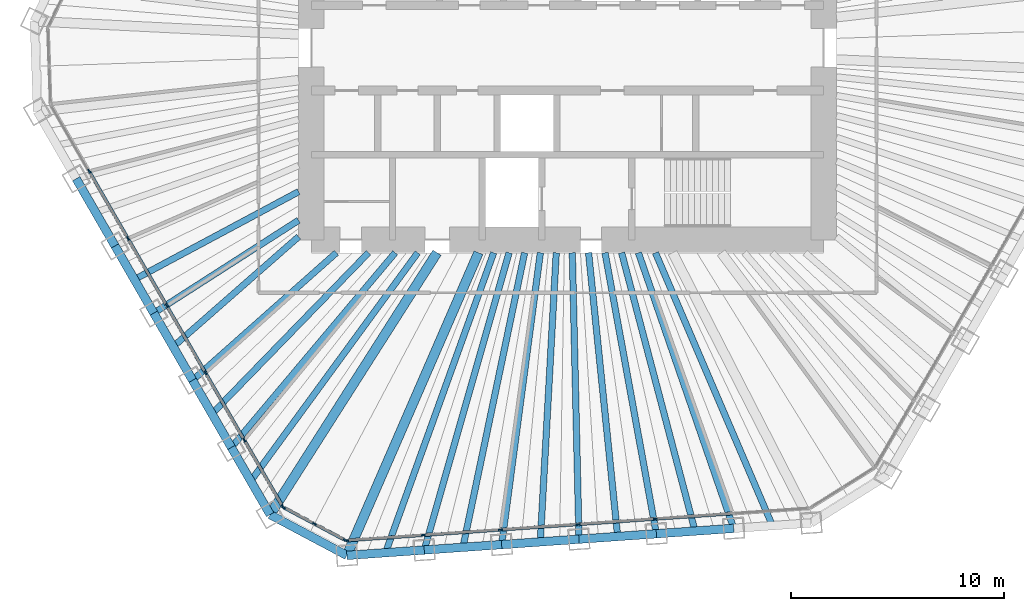
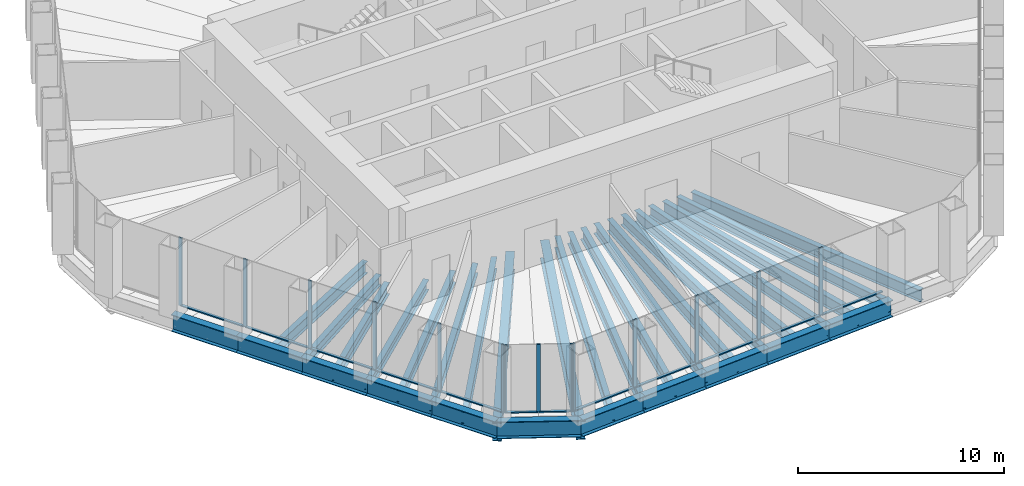
# One storey, part 2 of 14: 31 beams, 26 members, 3 elements without a shape of their own.
"""IFC4 building model written with IfcOpenShell, lengths in metres."""

from ifc_helpers import new_model, si_unit, direction, frame, origin, origin_2d, place, context, subcontext, project, spatial, rectangle, i_section, extrude, material, material_profile, profile_set, type_object, element, aggregate, save


model = new_model("IFC4")

# Units and contexts
model_context = context("Model", 3, precision=1e-05, world=origin(), true_north=direction((0.0, 1.0)))
body_context = subcontext(model_context, "Body", "Model", "MODEL_VIEW")
ifc_project = project(units=[si_unit("LENGTHUNIT", "METRE"), si_unit("AREAUNIT", "SQUARE_METRE"), si_unit("VOLUMEUNIT", "CUBIC_METRE"), si_unit("PLANEANGLEUNIT", "RADIAN"), si_unit("MASSUNIT", "GRAM", prefix="KILO")], contexts=[model_context])

# Site, building, storey
site_placement = place(None, origin())
site = spatial("IfcSite", under=ifc_project, at=site_placement, CompositionType="ELEMENT")
building_placement = place(site_placement, origin())
building = spatial("IfcBuilding", under=site, at=building_placement, Name="Qingtian Harvest Tower", CompositionType="ELEMENT")
storey_placement = place(building_placement, frame((0.0, 0.0, 235.0)))
storey = spatial("IfcBuildingStorey", under=building, at=storey_placement, Name="L51", CompositionType="ELEMENT", Elevation=235.0)

# Beams
ifc_material_1 = material(Name="Steel SM570MC", Category="steel")
ifc_material_profile_1 = material_profile(ifc_material_1, i_section(OverallWidth=0.449951171875, OverallDepth=1.10009765625, WebThickness=0.02197265625, FlangeThickness=0.044921875, at=origin_2d()), Name="H1100x450x22x45")
ifc_profile_set_1 = profile_set([ifc_material_profile_1], Name="Steel SM570MC")
beam_type_1 = type_object("IfcBeamType", Name="Corner floor beam FB8 H1100x450x22x45", PredefinedType="BEAM", material=ifc_profile_set_1)
beam_1_placement = place(storey_placement, frame((-10.33837890625, -23.779052734375, -0.719970703125), z_axis=(0.398714563353, 0.917075077063, 0.0), x_axis=(-0.917075077063, 0.398714563353, 0.0)))
element("IfcBeam", 1, at=beam_1_placement, inside=storey, type_object=beam_type_1, Name="Floor beam FB8 S6", PredefinedType="BEAM", context=body_context, shape_type="SweptSolid", body=[
    extrude(i_section(OverallWidth=0.449951171875, OverallDepth=1.10009765625, WebThickness=0.02197265625, FlangeThickness=0.044921875, at=origin_2d()), origin(), (0.0, 0.0, 1.0), 15.461181640625),
])
beam_2_placement = place(storey_placement, frame((-13.9326171875, -21.8681640625, -0.719970703125), z_axis=(0.537326103898, 0.8433745657, 0.0), x_axis=(-0.8433745657, 0.537326103898, 0.0)))
element("IfcBeam", 2, at=beam_2_placement, inside=storey, type_object=beam_type_1, Name="Floor beam FB8 SW0", PredefinedType="BEAM", context=body_context, shape_type="SweptSolid", body=[
    extrude(i_section(OverallWidth=0.449951171875, OverallDepth=1.10009765625, WebThickness=0.02197265625, FlangeThickness=0.044921875, at=origin_2d()), origin(), (0.0, 0.0, 1.0), 14.54638671875),
])
ifc_material_2 = material(Name="Steel SN490B", Category="steel")
ifc_material_profile_2 = material_profile(ifc_material_2, i_section(OverallWidth=0.300048828125, OverallDepth=0.699951171875, WebThickness=0.012939453125, FlangeThickness=0.02392578125, at=origin_2d()), Name="H700x300x13x24")
ifc_profile_set_2 = profile_set([ifc_material_profile_2], Name="Steel SN490B")
beam_type_2 = type_object("IfcBeamType", Name="Floor beam FB2 H700x300x13x24", PredefinedType="BEAM", material=ifc_profile_set_2)
beam_3_placement = place(storey_placement, frame((-6.713623046875, -23.525634765625, -0.52001953125), z_axis=(0.274411610503, 0.961612327303, 0.0), x_axis=(-0.961612327303, 0.274411610503, 0.0)))
element("IfcBeam", 3, at=beam_3_placement, inside=storey, type_object=beam_type_2, Name="Floor beam FB2 S5", PredefinedType="BEAM", context=body_context, shape_type="SweptSolid", body=[
    extrude(i_section(OverallWidth=0.300048828125, OverallDepth=0.699951171875, WebThickness=0.012939453125, FlangeThickness=0.02392578125, at=origin_2d()), origin(), (0.0, 0.0, 1.0), 14.4814453125),
])
ifc_material_3 = material(Name="Steel SN490B", Category="steel")
ifc_material_profile_3 = material_profile(ifc_material_3, i_section(OverallWidth=0.300048828125, OverallDepth=0.60009765625, WebThickness=0.011962890625, FlangeThickness=0.02001953125, at=origin_2d()), Name="H600x300x12x20")
ifc_profile_set_3 = profile_set([ifc_material_profile_3], Name="Steel SN490B")
beam_type_3 = type_object("IfcBeamType", Name="Floor beam FB3 H600x300x12x20", PredefinedType="BEAM", material=ifc_profile_set_3)
beam_4_placement = place(storey_placement, frame((7.78515625, -22.51171875, -0.469970703125), z_axis=(-0.326844175409, 0.945078242793, 0.0), x_axis=(-0.945078242793, -0.326844175409, 0.0)))
element("IfcBeam", 4, at=beam_4_placement, inside=storey, type_object=beam_type_3, Name="Floor beam FB3 S1", PredefinedType="BEAM", context=body_context, shape_type="SweptSolid", body=[
    extrude(i_section(OverallWidth=0.300048828125, OverallDepth=0.60009765625, WebThickness=0.011962890625, FlangeThickness=0.02001953125, at=origin_2d()), origin(), (0.0, 0.0, 1.0), 13.661865234375),
])
beam_5_placement = place(storey_placement, frame((4.160400390625, -22.76513671875, -0.469970703125), z_axis=(-0.179779537209, 0.983706926885, 0.0), x_axis=(-0.983706926885, -0.179779537209, 0.0)))
element("IfcBeam", 5, at=beam_5_placement, inside=storey, type_object=beam_type_3, Name="Floor beam FB3 S2", PredefinedType="BEAM", context=body_context, shape_type="SweptSolid", body=[
    extrude(i_section(OverallWidth=0.300048828125, OverallDepth=0.60009765625, WebThickness=0.011962890625, FlangeThickness=0.02001953125, at=origin_2d()), origin(), (0.0, 0.0, 1.0), 13.383056640625),
])
beam_6_placement = place(storey_placement, frame((0.53564453125, -23.018798828125, -0.469970703125), z_axis=(-0.023263902078, 0.999729358807, 0.0), x_axis=(-0.999729358807, -0.023263902078, 0.0)))
element("IfcBeam", 6, at=beam_6_placement, inside=storey, type_object=beam_type_3, Name="Floor beam FB3 S3", PredefinedType="BEAM", context=body_context, shape_type="SweptSolid", body=[
    extrude(i_section(OverallWidth=0.300048828125, OverallDepth=0.60009765625, WebThickness=0.011962890625, FlangeThickness=0.02001953125, at=origin_2d()), origin(), (0.0, 0.0, 1.0), 13.42236328125),
])
beam_7_placement = place(storey_placement, frame((-3.089111328125, -23.272216796875, -0.469970703125), z_axis=(0.131593229442, 0.991303799027, 0.0), x_axis=(-0.991303799027, 0.131593229442, 0.0)))
element("IfcBeam", 7, at=beam_7_placement, inside=storey, type_object=beam_type_3, Name="Floor beam FB3 S4", PredefinedType="BEAM", context=body_context, shape_type="SweptSolid", body=[
    extrude(i_section(OverallWidth=0.300048828125, OverallDepth=0.60009765625, WebThickness=0.011962890625, FlangeThickness=0.02001953125, at=origin_2d()), origin(), (0.0, 0.0, 1.0), 13.7919921875),
])
beam_8_placement = place(storey_placement, frame((-15.749267578125, -18.72119140625, -0.469970703125), z_axis=(0.643763532906, 0.765224485821, 0.0), x_axis=(-0.765224485821, 0.643763532906, 0.0)))
element("IfcBeam", 8, at=beam_8_placement, inside=storey, type_object=beam_type_3, Name="Floor beam FB3 SW1", PredefinedType="BEAM", context=body_context, shape_type="SweptSolid", body=[
    extrude(i_section(OverallWidth=0.300048828125, OverallDepth=0.60009765625, WebThickness=0.011962890625, FlangeThickness=0.02001953125, at=origin_2d()), origin(), (0.0, 0.0, 1.0), 11.91943359375),
])
beam_9_placement = place(storey_placement, frame((-17.566162109375, -15.574462890625, -0.469970703125), z_axis=(0.748259768664, 0.663405847577, 0.0), x_axis=(-0.663405847577, 0.748259768664, 0.0)))
element("IfcBeam", 9, at=beam_9_placement, inside=storey, type_object=beam_type_3, Name="Floor beam FB3 SW2", PredefinedType="BEAM", context=body_context, shape_type="SweptSolid", body=[
    extrude(i_section(OverallWidth=0.300048828125, OverallDepth=0.60009765625, WebThickness=0.011962890625, FlangeThickness=0.02001953125, at=origin_2d()), origin(), (0.0, 0.0, 1.0), 9.005615234375),
])
beam_10_placement = place(storey_placement, frame((-19.3828125, -12.427734375, -0.469970703125), z_axis=(0.841823714388, 0.539752567288, 0.0), x_axis=(-0.539752567288, 0.841823714388, 0.0)))
element("IfcBeam", 10, at=beam_10_placement, inside=storey, type_object=beam_type_3, Name="Floor beam FB3 SW3", PredefinedType="BEAM", context=body_context, shape_type="SweptSolid", body=[
    extrude(i_section(OverallWidth=0.300048828125, OverallDepth=0.60009765625, WebThickness=0.011962890625, FlangeThickness=0.02001953125, at=origin_2d()), origin(), (0.0, 0.0, 1.0), 8.05712890625),
])
ifc_material_4 = material(Name="Steel SN490B", Category="steel")
ifc_material_profile_4 = material_profile(ifc_material_4, i_section(OverallWidth=0.300048828125, OverallDepth=0.699951171875, WebThickness=0.012939453125, FlangeThickness=0.02392578125, at=origin_2d()), Name="H700x300x13x24")
ifc_profile_set_4 = profile_set([ifc_material_profile_4], Name="Steel SN490B")
beam_type_4 = type_object("IfcBeamType", Name="Floor joist J2 H700x300x13x24", PredefinedType="JOIST", material=ifc_profile_set_4)
beam_11_placement = place(storey_placement, frame((9.597412109375, -22.385009765625, -0.52001953125), z_axis=(-0.394052741766, 0.919087828614, 0.0), x_axis=(-0.919087828614, -0.394052741766, 0.0)))
element("IfcBeam", 11, at=beam_11_placement, inside=storey, type_object=beam_type_4, Name="Floor joist J2 S0", PredefinedType="JOIST", context=body_context, shape_type="SweptSolid", body=[
    extrude(i_section(OverallWidth=0.300048828125, OverallDepth=0.699951171875, WebThickness=0.012939453125, FlangeThickness=0.02392578125, at=origin_2d()), origin(), (0.0, 0.0, 1.0), 13.910400390625),
])
beam_12_placement = place(storey_placement, frame((5.97265625, -22.638427734375, -0.52001953125), z_axis=(-0.255103716232, 0.9669136952, 0.0), x_axis=(-0.9669136952, -0.255103716232, 0.0)))
element("IfcBeam", 12, at=beam_12_placement, inside=storey, type_object=beam_type_4, Name="Floor joist J2 S1", PredefinedType="JOIST", context=body_context, shape_type="SweptSolid", body=[
    extrude(i_section(OverallWidth=0.300048828125, OverallDepth=0.699951171875, WebThickness=0.012939453125, FlangeThickness=0.02392578125, at=origin_2d()), origin(), (0.0, 0.0, 1.0), 13.484375),
])
beam_13_placement = place(storey_placement, frame((2.347900390625, -22.89208984375, -0.52001953125), z_axis=(-0.102028865499, 0.994781438611, 0.0), x_axis=(-0.994781438611, -0.102028865499, 0.0)))
element("IfcBeam", 13, at=beam_13_placement, inside=storey, type_object=beam_type_4, Name="Floor joist J2 S2", PredefinedType="JOIST", context=body_context, shape_type="SweptSolid", body=[
    extrude(i_section(OverallWidth=0.300048828125, OverallDepth=0.699951171875, WebThickness=0.012939453125, FlangeThickness=0.02392578125, at=origin_2d()), origin(), (0.0, 0.0, 1.0), 13.36181640625),
])
beam_14_placement = place(storey_placement, frame((-1.276611328125, -23.1455078125, -0.52001953125), z_axis=(0.055069329716, 0.998482533109, 0.0), x_axis=(-0.998482533109, 0.055069329716, 0.0)))
element("IfcBeam", 14, at=beam_14_placement, inside=storey, type_object=beam_type_4, Name="Floor joist J2 S3", PredefinedType="JOIST", context=body_context, shape_type="SweptSolid", body=[
    extrude(i_section(OverallWidth=0.300048828125, OverallDepth=0.699951171875, WebThickness=0.012939453125, FlangeThickness=0.02392578125, at=origin_2d()), origin(), (0.0, 0.0, 1.0), 13.56591796875),
])
beam_15_placement = place(storey_placement, frame((-4.9013671875, -23.39892578125, -0.52001953125), z_axis=(0.205016322093, 0.978758554331, 0.0), x_axis=(-0.978758554331, 0.205016322093, 0.0)))
element("IfcBeam", 15, at=beam_15_placement, inside=storey, type_object=beam_type_4, Name="Floor joist J2 S4", PredefinedType="JOIST", context=body_context, shape_type="SweptSolid", body=[
    extrude(i_section(OverallWidth=0.300048828125, OverallDepth=0.699951171875, WebThickness=0.012939453125, FlangeThickness=0.02392578125, at=origin_2d()), origin(), (0.0, 0.0, 1.0), 14.098388671875),
])
beam_16_placement = place(storey_placement, frame((-8.526123046875, -23.65234375, -0.52001953125), z_axis=(0.339126305921, 0.940740850943, 0.0), x_axis=(-0.940740850943, 0.339126305921, 0.0)))
element("IfcBeam", 16, at=beam_16_placement, inside=storey, type_object=beam_type_4, Name="Floor joist J2 S5", PredefinedType="JOIST", context=body_context, shape_type="SweptSolid", body=[
    extrude(i_section(OverallWidth=0.300048828125, OverallDepth=0.699951171875, WebThickness=0.012939453125, FlangeThickness=0.02392578125, at=origin_2d()), origin(), (0.0, 0.0, 1.0), 14.9375),
])
beam_17_placement = place(storey_placement, frame((-14.841064453125, -20.294677734375, -0.52001953125), z_axis=(0.590288677526, 0.807192218238, 0.0), x_axis=(-0.807192218238, 0.590288677526, 0.0)))
element("IfcBeam", 17, at=beam_17_placement, inside=storey, type_object=beam_type_4, Name="Floor joist J2 SW0", PredefinedType="JOIST", context=body_context, shape_type="SweptSolid", body=[
    extrude(i_section(OverallWidth=0.300048828125, OverallDepth=0.699951171875, WebThickness=0.012939453125, FlangeThickness=0.02392578125, at=origin_2d()), origin(), (0.0, 0.0, 1.0), 13.2490234375),
])
beam_18_placement = place(storey_placement, frame((-16.65771484375, -17.14794921875, -0.52001953125), z_axis=(0.696777499009, 0.717287332158, 0.0), x_axis=(-0.717287332158, 0.696777499009, 0.0)))
element("IfcBeam", 18, at=beam_18_placement, inside=storey, type_object=beam_type_4, Name="Floor joist J2 SW1", PredefinedType="JOIST", context=body_context, shape_type="SweptSolid", body=[
    extrude(i_section(OverallWidth=0.300048828125, OverallDepth=0.699951171875, WebThickness=0.012939453125, FlangeThickness=0.02392578125, at=origin_2d()), origin(), (0.0, 0.0, 1.0), 10.522705078125),
])
beam_19_placement = place(storey_placement, frame((-18.474609375, -14.001220703125, -0.52001953125), z_axis=(0.751883296969, 0.659296221542, 0.0), x_axis=(-0.659296221542, 0.751883296969, 0.0)))
element("IfcBeam", 19, at=beam_19_placement, inside=storey, type_object=beam_type_4, Name="Floor joist J2 SW2", PredefinedType="JOIST", context=body_context, shape_type="SweptSolid", body=[
    extrude(i_section(OverallWidth=0.300048828125, OverallDepth=0.699951171875, WebThickness=0.012939453125, FlangeThickness=0.02392578125, at=origin_2d()), origin(), (0.0, 0.0, 1.0), 7.81298828125),
])
beam_20_placement = place(storey_placement, frame((-20.291259765625, -10.8544921875, -0.52001953125), z_axis=(0.881766503154, 0.471686160402, 0.0), x_axis=(-0.471686160402, 0.881766503154, 0.0)))
element("IfcBeam", 20, at=beam_20_placement, inside=storey, type_object=beam_type_4, Name="Floor joist J2 SW3", PredefinedType="JOIST", context=body_context, shape_type="SweptSolid", body=[
    extrude(i_section(OverallWidth=0.300048828125, OverallDepth=0.699951171875, WebThickness=0.012939453125, FlangeThickness=0.02392578125, at=origin_2d()), origin(), (0.0, 0.0, 1.0), 8.722412109375),
])

# Curtain wall, members
ifc_material_5 = material(Name="Bronze-anodised aluminium curtain wall", Category="aluminium")
curtain_wall_type = type_object("IfcCurtainWallType", Name="Curtain wall CW4 office", PredefinedType="USERDEFINED", material=ifc_material_5)
curtain_wall_1_placement = place(storey_placement, origin())
curtain_wall_1 = element("IfcCurtainWall", 21, at=curtain_wall_1_placement, inside=storey, type_object=curtain_wall_type, Name="Curtain wall CW4 L51 S0-5", ObjectType="RECESSED CURTAIN WALL", PredefinedType="USERDEFINED")
ifc_material_6 = material(Name="Bronze-anodised aluminium mullion", Category="aluminium")
ifc_material_profile_5 = material_profile(ifc_material_6, rectangle(XDim=0.06494140625, YDim=0.199951171875, at=origin_2d()), Name="AL 65x200")
ifc_profile_set_5 = profile_set([ifc_material_profile_5], Name="Bronze-anodised aluminium mullion")
member_type_1 = type_object("IfcMemberType", Name="Mullion CWM 65x200", PredefinedType="MULLION", material=ifc_profile_set_5)
member_1_placement = place(storey_placement, frame((4.111572265625, -22.06689453125, 0.0), z_axis=(0.0, 0.0, 1.0), x_axis=(0.069756473744, -0.99756405026, 0.0)))
member_1 = element("IfcMember", 22, at=member_1_placement, type_object=member_type_1, Name="CW4 mullion 3", PredefinedType="MULLION", context=body_context, shape_type="SweptSolid", body=[
    extrude(rectangle(XDim=0.06494140625, YDim=0.199951171875, at=origin_2d()), origin(), (0.0, 0.0, 1.0), 4.030029296875),
])
member_2_placement = place(storey_placement, frame((0.48681640625, -22.3203125, 0.0), z_axis=(0.0, 0.0, 1.0), x_axis=(0.069756473744, -0.99756405026, 0.0)))
member_2 = element("IfcMember", 23, at=member_2_placement, type_object=member_type_1, Name="CW4 mullion 4", PredefinedType="MULLION", context=body_context, shape_type="SweptSolid", body=[
    extrude(rectangle(XDim=0.06494140625, YDim=0.199951171875, at=origin_2d()), origin(), (0.0, 0.0, 1.0), 4.030029296875),
])
member_3_placement = place(storey_placement, frame((-3.137939453125, -22.573974609375, 0.0), z_axis=(0.0, 0.0, 1.0), x_axis=(0.069756473744, -0.99756405026, 0.0)))
member_3 = element("IfcMember", 24, at=member_3_placement, type_object=member_type_1, Name="CW4 mullion 5", PredefinedType="MULLION", context=body_context, shape_type="SweptSolid", body=[
    extrude(rectangle(XDim=0.06494140625, YDim=0.199951171875, at=origin_2d()), origin(), (0.0, 0.0, 1.0), 4.030029296875),
])
member_4_placement = place(storey_placement, frame((-6.762451171875, -22.827392578125, 0.0), z_axis=(0.0, 0.0, 1.0), x_axis=(0.069756473744, -0.99756405026, 0.0)))
member_4 = element("IfcMember", 25, at=member_4_placement, type_object=member_type_1, Name="CW4 mullion 6", PredefinedType="MULLION", context=body_context, shape_type="SweptSolid", body=[
    extrude(rectangle(XDim=0.06494140625, YDim=0.199951171875, at=origin_2d()), origin(), (0.0, 0.0, 1.0), 4.030029296875),
])
member_5_placement = place(storey_placement, frame((-10.354736328125, -23.07861328125, 0.0), z_axis=(0.0, 0.0, 1.0), x_axis=(0.069756473744, -0.99756405026, 0.0)))
member_5 = element("IfcMember", 26, at=member_5_placement, type_object=member_type_1, Name="CW4 mullion 7", PredefinedType="MULLION", context=body_context, shape_type="SweptSolid", body=[
    extrude(rectangle(XDim=0.06494140625, YDim=0.199951171875, at=origin_2d()), origin(), (0.0, 0.0, 1.0), 4.030029296875),
])

curtain_wall_2_placement = place(storey_placement, origin())
curtain_wall_2 = element("IfcCurtainWall", 27, at=curtain_wall_2_placement, inside=storey, type_object=curtain_wall_type, Name="Curtain wall CW4 L51 SC", ObjectType="RECESSED CURTAIN WALL", PredefinedType="USERDEFINED")
member_6_placement = place(storey_placement, frame((-10.416015625, -23.0654296875, 0.0), z_axis=(0.0, 0.0, 1.0), x_axis=(-0.469471562786, -0.882947592859, 0.0)))
member_6 = element("IfcMember", 28, at=member_6_placement, type_object=member_type_1, Name="CW4 mullion 1", PredefinedType="MULLION", context=body_context, shape_type="SweptSolid", body=[
    extrude(rectangle(XDim=0.06494140625, YDim=0.199951171875, at=origin_2d()), origin(), (0.0, 0.0, 1.0), 4.030029296875),
])
member_7_placement = place(storey_placement, frame((-11.85693359375, -22.29931640625, 0.0), z_axis=(0.0, 0.0, 1.0), x_axis=(-0.469471562786, -0.882947592859, 0.0)))
member_7 = element("IfcMember", 29, at=member_7_placement, type_object=member_type_1, Name="CW4 mullion 2", PredefinedType="MULLION", context=body_context, shape_type="SweptSolid", body=[
    extrude(rectangle(XDim=0.06494140625, YDim=0.199951171875, at=origin_2d()), origin(), (0.0, 0.0, 1.0), 4.030029296875),
])
member_8_placement = place(storey_placement, frame((-13.297607421875, -21.533203125, 0.0), z_axis=(0.0, 0.0, 1.0), x_axis=(-0.469471562786, -0.882947592859, 0.0)))
member_8 = element("IfcMember", 30, at=member_8_placement, type_object=member_type_1, Name="CW4 mullion 3", PredefinedType="MULLION", context=body_context, shape_type="SweptSolid", body=[
    extrude(rectangle(XDim=0.06494140625, YDim=0.199951171875, at=origin_2d()), origin(), (0.0, 0.0, 1.0), 4.030029296875),
])

curtain_wall_3_placement = place(storey_placement, origin())
curtain_wall_3 = element("IfcCurtainWall", 31, at=curtain_wall_3_placement, inside=storey, type_object=curtain_wall_type, Name="Curtain wall CW4 L51 SW0-5", ObjectType="RECESSED CURTAIN WALL", PredefinedType="USERDEFINED")
member_9_placement = place(storey_placement, frame((-13.342529296875, -21.489990234375, 0.0), z_axis=(0.0, 0.0, 1.0), x_axis=(-0.866025403784, -0.5, 0.0)))
member_9 = element("IfcMember", 32, at=member_9_placement, type_object=member_type_1, Name="CW4 mullion 1", PredefinedType="MULLION", context=body_context, shape_type="SweptSolid", body=[
    extrude(rectangle(XDim=0.06494140625, YDim=0.199951171875, at=origin_2d()), origin(), (0.0, 0.0, 1.0), 4.030029296875),
])
member_10_placement = place(storey_placement, frame((-15.14306640625, -18.371337890625, 0.0), z_axis=(0.0, 0.0, 1.0), x_axis=(-0.866025403784, -0.5, 0.0)))
member_10 = element("IfcMember", 33, at=member_10_placement, type_object=member_type_1, Name="CW4 mullion 2", PredefinedType="MULLION", context=body_context, shape_type="SweptSolid", body=[
    extrude(rectangle(XDim=0.06494140625, YDim=0.199951171875, at=origin_2d()), origin(), (0.0, 0.0, 1.0), 4.030029296875),
])
member_11_placement = place(storey_placement, frame((-16.9599609375, -15.224609375, 0.0), z_axis=(0.0, 0.0, 1.0), x_axis=(-0.866025403784, -0.5, 0.0)))
member_11 = element("IfcMember", 34, at=member_11_placement, type_object=member_type_1, Name="CW4 mullion 3", PredefinedType="MULLION", context=body_context, shape_type="SweptSolid", body=[
    extrude(rectangle(XDim=0.06494140625, YDim=0.199951171875, at=origin_2d()), origin(), (0.0, 0.0, 1.0), 4.030029296875),
])
member_12_placement = place(storey_placement, frame((-18.776611328125, -12.077880859375, 0.0), z_axis=(0.0, 0.0, 1.0), x_axis=(-0.866025403784, -0.5, 0.0)))
member_12 = element("IfcMember", 35, at=member_12_placement, type_object=member_type_1, Name="CW4 mullion 4", PredefinedType="MULLION", context=body_context, shape_type="SweptSolid", body=[
    extrude(rectangle(XDim=0.06494140625, YDim=0.199951171875, at=origin_2d()), origin(), (0.0, 0.0, 1.0), 4.030029296875),
])
member_13_placement = place(storey_placement, frame((-20.593505859375, -8.93115234375, 0.0), z_axis=(0.0, 0.0, 1.0), x_axis=(-0.866025403784, -0.5, 0.0)))
member_13 = element("IfcMember", 36, at=member_13_placement, type_object=member_type_1, Name="CW4 mullion 5", PredefinedType="MULLION", context=body_context, shape_type="SweptSolid", body=[
    extrude(rectangle(XDim=0.06494140625, YDim=0.199951171875, at=origin_2d()), origin(), (0.0, 0.0, 1.0), 4.030029296875),
])
member_14_placement = place(storey_placement, frame((-22.41015625, -5.784423828125, 0.0), z_axis=(0.0, 0.0, 1.0), x_axis=(-0.866025403784, -0.5, 0.0)))
member_14 = element("IfcMember", 37, at=member_14_placement, type_object=member_type_1, Name="CW4 mullion 6", PredefinedType="MULLION", context=body_context, shape_type="SweptSolid", body=[
    extrude(rectangle(XDim=0.06494140625, YDim=0.199951171875, at=origin_2d()), origin(), (0.0, 0.0, 1.0), 4.030029296875),
])

# Beams
ifc_material_7 = material(Name="Steel SN490B", Category="steel")
ifc_material_profile_6 = material_profile(ifc_material_7, i_section(OverallWidth=0.39990234375, OverallDepth=1.0, WebThickness=0.01904296875, FlangeThickness=0.035888671875, at=origin_2d()), Name="H1000x400x19x36")
ifc_profile_set_6 = profile_set([ifc_material_profile_6], Name="Steel SN490B")
beam_type_5 = type_object("IfcBeamType", Name="Spandrel beam SB3 H1000x400x19x36", PredefinedType="SPANDREL", material=ifc_profile_set_6)
for number, where, z_axis, x_axis, name in (
    (38, (7.78515625, -22.51171875, -0.5), (-0.997565001055, -0.069742875402, 0.0), (0.069742875402, -0.997565001055, 0.0), "Spandrel SB3 S1"),
    (39, (4.160400390625, -22.76513671875, -0.5), (-0.997560324246, -0.069809737785, 0.0), (0.069809737785, -0.997560324246, 0.0), "Spandrel SB3 S2"),
    (40, (0.53564453125, -23.018798828125, -0.5), (-0.997565001055, -0.069742875402, 0.0), (0.069742875402, -0.997565001055, 0.0), "Spandrel SB3 S3"),
):
    element("IfcBeam", number, at=place(storey_placement, frame(where, z_axis=z_axis, x_axis=x_axis)), inside=storey, type_object=beam_type_5, Name=name, PredefinedType="SPANDREL", context=body_context, shape_type="SweptSolid", body=[
        extrude(i_section(OverallWidth=0.39990234375, OverallDepth=1.0, WebThickness=0.01904296875, FlangeThickness=0.035888671875, at=origin_2d()), origin(), (0.0, 0.0, 1.0), 3.633544921875),
    ])
beam_21_placement = place(storey_placement, frame((-3.089111328125, -23.272216796875, -0.5), z_axis=(-0.997564674207, -0.069747550305, 0.0), x_axis=(0.069747550305, -0.997564674207, 0.0)))
element("IfcBeam", 41, at=beam_21_placement, inside=storey, type_object=beam_type_5, Name="Spandrel SB3 S4", PredefinedType="SPANDREL", context=body_context, shape_type="SweptSolid", body=[
    extrude(i_section(OverallWidth=0.39990234375, OverallDepth=1.0, WebThickness=0.01904296875, FlangeThickness=0.035888671875, at=origin_2d()), origin(), (0.0, 0.0, 1.0), 3.63330078125),
])
beam_22_placement = place(storey_placement, frame((-6.713623046875, -23.525634765625, -0.5), z_axis=(-0.997565001055, -0.069742875402, 0.0), x_axis=(0.069742875402, -0.997565001055, 0.0)))
element("IfcBeam", 42, at=beam_22_placement, inside=storey, type_object=beam_type_5, Name="Spandrel SB3 S5", PredefinedType="SPANDREL", context=body_context, shape_type="SweptSolid", body=[
    extrude(i_section(OverallWidth=0.39990234375, OverallDepth=1.0, WebThickness=0.01904296875, FlangeThickness=0.035888671875, at=origin_2d()), origin(), (0.0, 0.0, 1.0), 3.633544921875),
])
beam_23_placement = place(storey_placement, frame((-10.33837890625, -23.779052734375, -0.5), z_axis=(-0.882968133669, 0.469432929101, 0.0), x_axis=(-0.469432929101, -0.882968133669, 0.0)))
element("IfcBeam", 43, at=beam_23_placement, inside=storey, type_object=beam_type_5, Name="Spandrel SB3 SC", PredefinedType="SPANDREL", context=body_context, shape_type="SweptSolid", body=[
    extrude(i_section(OverallWidth=0.39990234375, OverallDepth=1.0, WebThickness=0.01904296875, FlangeThickness=0.035888671875, at=origin_2d()), origin(), (0.0, 0.0, 1.0), 4.070556640625),
])
beam_24_placement = place(storey_placement, frame((-13.9326171875, -21.8681640625, -0.5), z_axis=(-0.499947341849, 0.866055803848, 0.0), x_axis=(-0.866055803848, -0.499947341849, 0.0)))
element("IfcBeam", 44, at=beam_24_placement, inside=storey, type_object=beam_type_5, Name="Spandrel SB3 SW0", PredefinedType="SPANDREL", context=body_context, shape_type="SweptSolid", body=[
    extrude(i_section(OverallWidth=0.39990234375, OverallDepth=1.0, WebThickness=0.01904296875, FlangeThickness=0.035888671875, at=origin_2d()), origin(), (0.0, 0.0, 1.0), 3.6337890625),
])
for number, where, z_axis, x_axis, name in (
    (45, (-15.749267578125, -18.72119140625, -0.5), (-0.500026827678, 0.866009914263, 0.0), (-0.866009914263, -0.500026827678, 0.0), "Spandrel SB3 SW1"),
    (46, (-17.566162109375, -15.574462890625, -0.5), (-0.499976434558, 0.866039008871, 0.0), (-0.866039008871, -0.499976434558, 0.0), "Spandrel SB3 SW2"),
    (47, (-19.3828125, -12.427734375, -0.5), (-0.500026827678, 0.866009914263, 0.0), (-0.866009914263, -0.500026827678, 0.0), "Spandrel SB3 SW3"),
    (48, (-21.19970703125, -9.281005859375, -0.5), (-0.499976434558, 0.866039008871, 0.0), (-0.866039008871, -0.499976434558, 0.0), "Spandrel SB3 SW4"),
):
    element("IfcBeam", number, at=place(storey_placement, frame(where, z_axis=z_axis, x_axis=x_axis)), inside=storey, type_object=beam_type_5, Name=name, PredefinedType="SPANDREL", context=body_context, shape_type="SweptSolid", body=[
        extrude(i_section(OverallWidth=0.39990234375, OverallDepth=1.0, WebThickness=0.01904296875, FlangeThickness=0.035888671875, at=origin_2d()), origin(), (0.0, 0.0, 1.0), 3.633544921875),
    ])

# Member
ifc_material_8 = material(Name="Bronze-anodised aluminium transom", Category="aluminium")
ifc_material_profile_7 = material_profile(ifc_material_8, rectangle(XDim=0.14990234375, YDim=0.06494140625, at=origin_2d()), Name="AL 65x150")
ifc_profile_set_7 = profile_set([ifc_material_profile_7], Name="Bronze-anodised aluminium transom")
member_type_2 = type_object("IfcMemberType", Name="Transom CWT 65x150", PredefinedType="USERDEFINED", material=ifc_profile_set_7)
member_15_placement = place(storey_placement, frame((7.703857421875, -21.815673828125, 0.032470703125), z_axis=(-0.997562159126, -0.069783512949, 0.0), x_axis=(0.069783512949, -0.997562159126, 0.0)))
member_15 = element("IfcMember", 49, at=member_15_placement, type_object=member_type_2, Name="CW4 transom 2.1", ObjectType="TRANSOM", PredefinedType="USERDEFINED", context=body_context, shape_type="SweptSolid", body=[
    extrude(rectangle(XDim=0.14990234375, YDim=0.06494140625, at=origin_2d()), origin(), (0.0, 0.0, 1.0), 3.568603515625),
])

member_16_placement = place(storey_placement, frame((4.0791015625, -22.0693359375, 0.032470703125), z_axis=(-0.99756691944, -0.069715430417, 0.0), x_axis=(0.069715430417, -0.99756691944, 0.0)))
member_16 = element("IfcMember", 50, at=member_16_placement, type_object=member_type_2, Name="CW4 transom 3.1", ObjectType="TRANSOM", PredefinedType="USERDEFINED", context=body_context, shape_type="SweptSolid", body=[
    extrude(rectangle(XDim=0.14990234375, YDim=0.06494140625, at=origin_2d()), origin(), (0.0, 0.0, 1.0), 3.568603515625),
])

member_17_placement = place(storey_placement, frame((0.454345703125, -22.32275390625, 0.032470703125), z_axis=(-0.99756691944, -0.069715430417, 0.0), x_axis=(0.069715430417, -0.99756691944, 0.0)))
member_17 = element("IfcMember", 51, at=member_17_placement, type_object=member_type_2, Name="CW4 transom 4.1", ObjectType="TRANSOM", PredefinedType="USERDEFINED", context=body_context, shape_type="SweptSolid", body=[
    extrude(rectangle(XDim=0.14990234375, YDim=0.06494140625, at=origin_2d()), origin(), (0.0, 0.0, 1.0), 3.568603515625),
])

member_18_placement = place(storey_placement, frame((-3.170166015625, -22.576171875, 0.032470703125), z_axis=(-0.997567251922, -0.069710672727, 0.0), x_axis=(0.069710672727, -0.997567251922, 0.0)))
member_18 = element("IfcMember", 52, at=member_18_placement, type_object=member_type_2, Name="CW4 transom 5.1", ObjectType="TRANSOM", PredefinedType="USERDEFINED", context=body_context, shape_type="SweptSolid", body=[
    extrude(rectangle(XDim=0.14990234375, YDim=0.06494140625, at=origin_2d()), origin(), (0.0, 0.0, 1.0), 3.56884765625),
])

member_19_placement = place(storey_placement, frame((-6.794921875, -22.82958984375, 0.032470703125), z_axis=(-0.997565839557, -0.069730880888, 0.0), x_axis=(0.069730880888, -0.997565839557, 0.0)))
member_19 = element("IfcMember", 53, at=member_19_placement, type_object=member_type_2, Name="CW4 transom 6.1", ObjectType="TRANSOM", PredefinedType="USERDEFINED", context=body_context, shape_type="SweptSolid", body=[
    extrude(rectangle(XDim=0.14990234375, YDim=0.06494140625, at=origin_2d()), origin(), (0.0, 0.0, 1.0), 3.5361328125),
])

aggregate(curtain_wall_1, [member_1, member_2, member_3, member_4, member_5, member_15, member_16, member_17, member_18, member_19])

member_20_placement = place(storey_placement, frame((-10.444580078125, -23.05029296875, 0.032470703125), z_axis=(-0.882960338349, 0.46944759122, 0.0), x_axis=(-0.46944759122, -0.882960338349, 0.0)))
member_20 = element("IfcMember", 54, at=member_20_placement, type_object=member_type_2, Name="CW4 transom 1.1", ObjectType="TRANSOM", PredefinedType="USERDEFINED", context=body_context, shape_type="SweptSolid", body=[
    extrude(rectangle(XDim=0.14990234375, YDim=0.06494140625, at=origin_2d()), origin(), (0.0, 0.0, 1.0), 1.56689453125),
])

member_21_placement = place(storey_placement, frame((-11.885498046875, -22.2841796875, 0.032470703125), z_axis=(-0.882960338349, 0.46944759122, 0.0), x_axis=(-0.46944759122, -0.882960338349, 0.0)))
member_21 = element("IfcMember", 55, at=member_21_placement, type_object=member_type_2, Name="CW4 transom 2.1", ObjectType="TRANSOM", PredefinedType="USERDEFINED", context=body_context, shape_type="SweptSolid", body=[
    extrude(rectangle(XDim=0.14990234375, YDim=0.06494140625, at=origin_2d()), origin(), (0.0, 0.0, 1.0), 1.56689453125),
])

aggregate(curtain_wall_2, [member_6, member_7, member_8, member_20, member_21])

member_22_placement = place(storey_placement, frame((-13.35888671875, -21.461669921875, 0.032470703125), z_axis=(-0.500015305566, 0.866016566931, 0.0), x_axis=(-0.866016566931, -0.500015305566, 0.0)))
member_22 = element("IfcMember", 56, at=member_22_placement, type_object=member_type_2, Name="CW4 transom 1.1", ObjectType="TRANSOM", PredefinedType="USERDEFINED", context=body_context, shape_type="SweptSolid", body=[
    extrude(rectangle(XDim=0.14990234375, YDim=0.06494140625, at=origin_2d()), origin(), (0.0, 0.0, 1.0), 3.5361328125),
])

member_23_placement = place(storey_placement, frame((-15.159423828125, -18.34326171875, 0.032470703125), z_axis=(-0.499965259726, 0.866045460162, 0.0), x_axis=(-0.866045460162, -0.499965259726, 0.0)))
member_23 = element("IfcMember", 57, at=member_23_placement, type_object=member_type_2, Name="CW4 transom 2.1", ObjectType="TRANSOM", PredefinedType="USERDEFINED", context=body_context, shape_type="SweptSolid", body=[
    extrude(rectangle(XDim=0.14990234375, YDim=0.06494140625, at=origin_2d()), origin(), (0.0, 0.0, 1.0), 3.568603515625),
])

member_24_placement = place(storey_placement, frame((-16.97607421875, -15.1962890625, 0.032470703125), z_axis=(-0.500046194516, 0.865998731726, 0.0), x_axis=(-0.865998731726, -0.500046194516, 0.0)))
member_24 = element("IfcMember", 58, at=member_24_placement, type_object=member_type_2, Name="CW4 transom 3.1", ObjectType="TRANSOM", PredefinedType="USERDEFINED", context=body_context, shape_type="SweptSolid", body=[
    extrude(rectangle(XDim=0.14990234375, YDim=0.06494140625, at=origin_2d()), origin(), (0.0, 0.0, 1.0), 3.568603515625),
])

member_25_placement = place(storey_placement, frame((-18.79296875, -12.049560546875, 0.032470703125), z_axis=(-0.499994883695, 0.866028357664, 0.0), x_axis=(-0.866028357664, -0.499994883695, 0.0)))
member_25 = element("IfcMember", 59, at=member_25_placement, type_object=member_type_2, Name="CW4 transom 4.1", ObjectType="TRANSOM", PredefinedType="USERDEFINED", context=body_context, shape_type="SweptSolid", body=[
    extrude(rectangle(XDim=0.14990234375, YDim=0.06494140625, at=origin_2d()), origin(), (0.0, 0.0, 1.0), 3.568359375),
])

member_26_placement = place(storey_placement, frame((-20.609619140625, -8.90283203125, 0.032470703125), z_axis=(-0.500046194516, 0.865998731726, 0.0), x_axis=(-0.865998731726, -0.500046194516, 0.0)))
member_26 = element("IfcMember", 60, at=member_26_placement, type_object=member_type_2, Name="CW4 transom 5.1", ObjectType="TRANSOM", PredefinedType="USERDEFINED", context=body_context, shape_type="SweptSolid", body=[
    extrude(rectangle(XDim=0.14990234375, YDim=0.06494140625, at=origin_2d()), origin(), (0.0, 0.0, 1.0), 3.568603515625),
])

aggregate(curtain_wall_3, [member_9, member_10, member_11, member_12, member_13, member_14, member_22, member_23, member_24, member_25, member_26])

save(model, "model.ifc")
